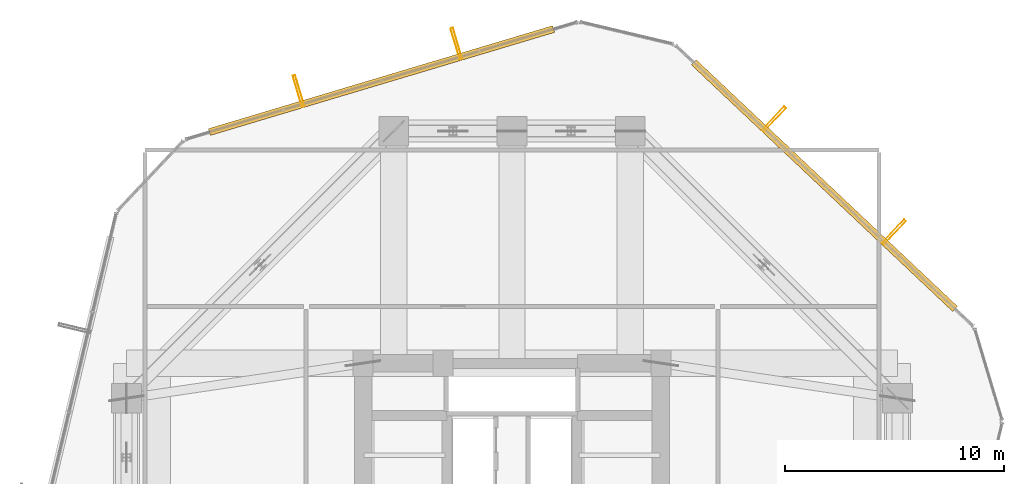
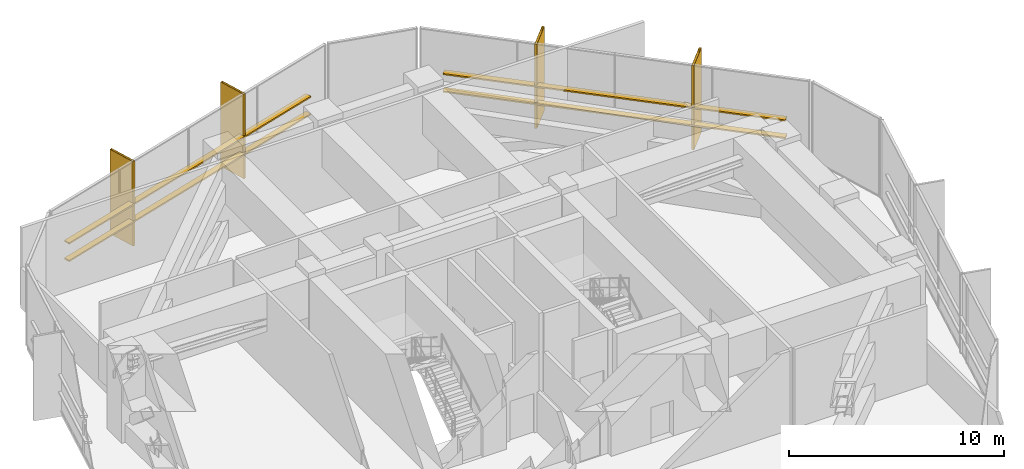
# One storey, part 41 of 41: 8 shading devices.
"""IFC4 building model written with IfcOpenShell, lengths in metres."""

from ifc_helpers import new_model, si_unit, direction, frame, origin, origin_2d, place, context, subcontext, project, spatial, hollow_rectangle, extrude, material, material_profile, profile_set, type_object, element, save


model = new_model("IFC4")

# Units and contexts
model_context = context("Model", 3, precision=1e-05, world=origin(), true_north=direction((0.0, 1.0)))
body_context = subcontext(model_context, "Body", "Model", "MODEL_VIEW")
ifc_project = project(units=[si_unit("LENGTHUNIT", "METRE"), si_unit("AREAUNIT", "SQUARE_METRE"), si_unit("VOLUMEUNIT", "CUBIC_METRE"), si_unit("PLANEANGLEUNIT", "RADIAN"), si_unit("MASSUNIT", "GRAM", prefix="KILO")], contexts=[model_context])

# Site, building, storey
site_placement = place(None, origin())
site = spatial("IfcSite", under=ifc_project, at=site_placement, CompositionType="ELEMENT")
building_placement = place(site_placement, origin())
building = spatial("IfcBuilding", under=site, at=building_placement, Name="Veraguas Prism Commons", CompositionType="ELEMENT")
storey_placement = place(building_placement, frame((0.0, 0.0, 80.35009765625)))
storey = spatial("IfcBuildingStorey", under=building, at=storey_placement, Name="L22", CompositionType="ELEMENT", Elevation=80.35009765625)

# Shading devices
ifc_material = material(Name="Anodised aluminium EN AW-6063 T6", Category="aluminium")
ifc_material_profile_1 = material_profile(ifc_material, hollow_rectangle(XDim=0.1201171875, YDim=1.489990234375, WallThickness=0.006103515625, at=origin_2d()), Name="FIN120X1490X6")
ifc_profile_set_1 = profile_set([ifc_material_profile_1], Name="Anodised aluminium EN AW-6063 T6")
shading_device_type_1 = type_object("IfcShadingDeviceType", Name="Deep Pale-Metal Vertical Solar Fin 120x1490", PredefinedType="USERDEFINED", material=ifc_profile_set_1)
for number, where, z_axis, x_axis, name in (
    (1, (41.42919921875, 36.989990234375, -0.300048828125), (0.0, 0.0, 1.0), (-0.727292590943, 0.686327536356, 0.0), "Vertical Pale-Metal Solar Fin L22-F1A"),
    (2, (35.958740234375, 42.152099609375, -0.300048828125), (0.0, 0.0, 1.0), (-0.727292590943, 0.686327536356, 0.0), "Vertical Pale-Metal Solar Fin L22-F1B"),
    (3, (21.465087890625, 45.589111328125, -0.300048828125), (0.0, 0.0, 1.0), (-0.958022876902, -0.286691763629, 0.0), "Vertical Pale-Metal Solar Fin L22-F2A"),
    (4, (14.25927734375, 43.4326171875, -0.300048828125), (0.0, 0.0, 1.0), (-0.958022876902, -0.286691763629, 0.0), "Vertical Pale-Metal Solar Fin L22-F2B"),
):
    element("IfcShadingDevice", number, at=place(storey_placement, frame(where, z_axis=z_axis, x_axis=x_axis)), inside=storey, type_object=shading_device_type_1, Name=name, ObjectType="FIN", PredefinedType="USERDEFINED", context=body_context, shape_type="SweptSolid", body=[
        extrude(hollow_rectangle(XDim=0.1201171875, YDim=1.489990234375, WallThickness=0.006103515625, at=origin_2d()), origin(), (0.0, 0.0, 1.0), 4.800048828125),
    ])
ifc_material_profile_2 = material_profile(ifc_material, hollow_rectangle(XDim=0.080078125, YDim=0.320068359375, WallThickness=0.00390625, at=origin_2d()), Name="LVR80X320X4")
ifc_profile_set_2 = profile_set([ifc_material_profile_2], Name="Anodised aluminium EN AW-6063 T6")
shading_device_type_2 = type_object("IfcShadingDeviceType", Name="Plant Room Acoustic Weather Louvre 80x320", PredefinedType="JALOUSIE", material=ifc_profile_set_2)
for number, where, z_axis, x_axis, name in (
    (5, (44.230224609375, 33.4873046875, 1.099853515625), (-0.727296648024, 0.686323237092, 0.0), (0.0, 0.0, 1.0), "Plant Acoustic Weather Louvre L22-F1A"),
    (6, (44.230224609375, 33.4873046875, 2.099853515625), (-0.727296648024, 0.686323237092, 0.0), (0.0, 0.0, 1.0), "Plant Acoustic Weather Louvre L22-F1B"),
    (7, (25.89892578125, 46.263671875, 1.099853515625), (-0.958022681254, -0.286692417415, 0.0), (0.0, 0.0, 1.0), "Plant Acoustic Weather Louvre L22-F2A"),
    (8, (25.89892578125, 46.263671875, 2.099853515625), (-0.958022681254, -0.286692417415, 0.0), (0.0, 0.0, 1.0), "Plant Acoustic Weather Louvre L22-F2B"),
):
    element("IfcShadingDevice", number, at=place(storey_placement, frame(where, z_axis=z_axis, x_axis=x_axis)), inside=storey, type_object=shading_device_type_2, Name=name, PredefinedType="JALOUSIE", context=body_context, shape_type="SweptSolid", body=[
        extrude(hollow_rectangle(XDim=0.080078125, YDim=0.320068359375, WallThickness=0.00390625, at=origin_2d()), origin(), (0.0, 0.0, 1.0), 16.40380859375),
    ])

save(model, "model.ifc")
